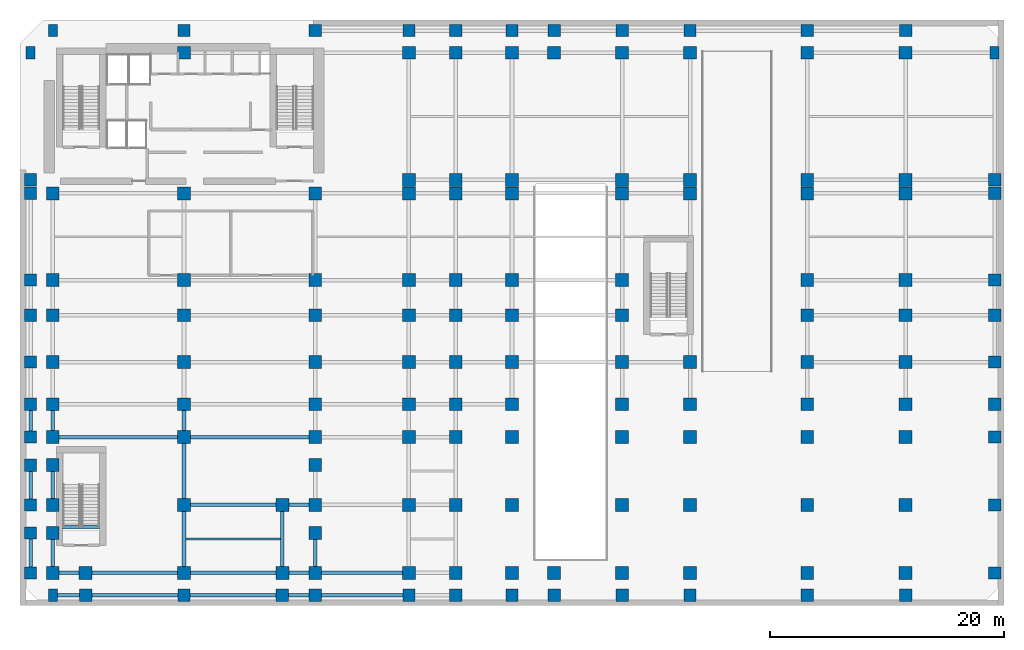
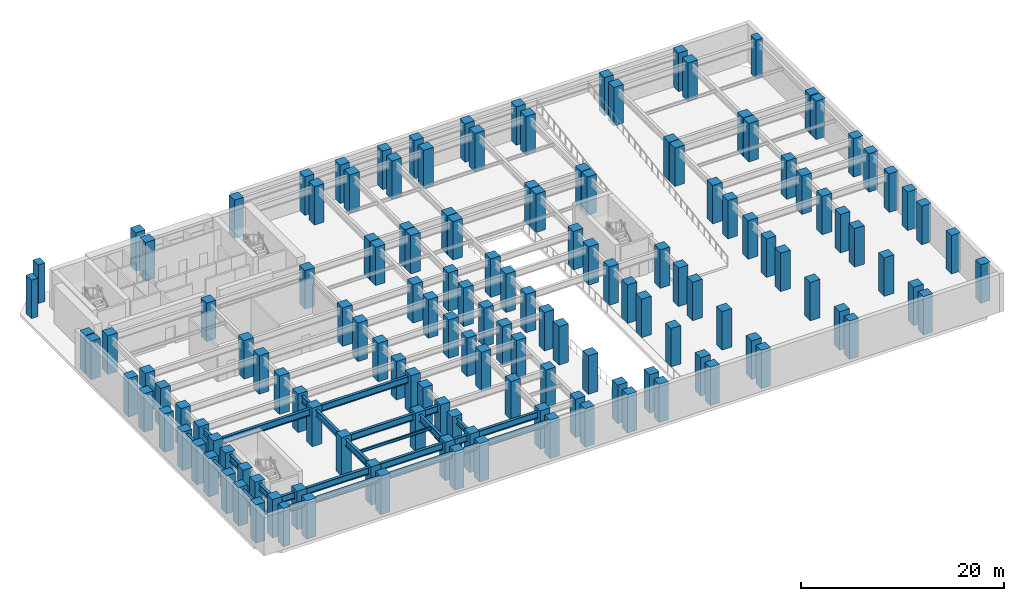
# One storey, part 1 of 12: 148 columns, 27 beams.
"""IFC4 building model written with IfcOpenShell, lengths in metres."""

from ifc_helpers import new_model, si_unit, direction, frame, origin, origin_2d, place, context, subcontext, project, spatial, rectangle, i_section, extrude, material, material_profile, profile_set, type_object, element, save


model = new_model("IFC4")

# Units and contexts
model_context = context("Model", 3, precision=1e-05, world=origin(), true_north=direction((0.0, 1.0)))
body_context = subcontext(model_context, "Body", "Model", "MODEL_VIEW")
ifc_project = project(units=[si_unit("LENGTHUNIT", "METRE"), si_unit("AREAUNIT", "SQUARE_METRE"), si_unit("VOLUMEUNIT", "CUBIC_METRE"), si_unit("PLANEANGLEUNIT", "RADIAN"), si_unit("MASSUNIT", "GRAM", prefix="KILO")], contexts=[model_context])

# Site, building, storey
site_placement = place(None, origin())
site = spatial("IfcSite", under=ifc_project, at=site_placement, CompositionType="ELEMENT")
building_placement = place(site_placement, origin())
building = spatial("IfcBuilding", under=site, at=building_placement, Name="Kefirva Bronze Tower", CompositionType="ELEMENT")
storey_placement = place(building_placement, frame((0.0, 0.0, -4.6201171875)))
storey = spatial("IfcBuildingStorey", under=building, at=storey_placement, Name="B1", CompositionType="ELEMENT", Elevation=-4.6201171875)

# Columns
ifc_material_1 = material(Name="Concrete C60/75", Category="concrete")
ifc_material_profile_1 = material_profile(ifc_material_1, rectangle(XDim=1.050048828125, YDim=1.050048828125, at=origin_2d()), Name="RC 1050x1050")
ifc_profile_set_1 = profile_set([ifc_material_profile_1], Name="Concrete C60/75")
column_type_1 = type_object("IfcColumnType", Name="RC Column 1050x1050 Ext", PredefinedType="COLUMN", material=ifc_profile_set_1)
for number, where, z_axis, x_axis, name in (
    (1, (-1.10009765625, 0.800048828125, 0.0), (0.0, 0.0, 1.0), (1.0, 0.0, 0.0), "B1 Column C-11_008"),
    (2, (-1.10009765625, 4.199951171875, 0.0), (0.0, 0.0, 1.0), (1.0, 0.0, 0.0), "B1 Column C-11_042"),
    (3, (-1.10009765625, 6.60009765625, 0.0), (0.0, 0.0, 1.0), (1.0, 0.0, 0.0), "B1 Column C-11_066"),
    (4, (-1.10009765625, 10.0, 0.0), (0.0, 0.0, 1.0), (1.0, 0.0, 0.0), "B1 Column C-11_100"),
    (5, (-1.10009765625, 12.39990234375, 0.0), (0.0, 0.0, 1.0), (1.0, 0.0, 0.0), "B1 Column C-11_124"),
    (6, (-1.10009765625, 15.199951171875, 0.0), (0.0, 0.0, 1.0), (1.0, 0.0, 0.0), "B1 Column C-11_152"),
    (7, (-1.10009765625, 18.800048828125, 0.0), (0.0, 0.0, 1.0), (1.0, 0.0, 0.0), "B1 Column C-11_188"),
    (8, (-1.10009765625, 22.800048828125, 0.0), (0.0, 0.0, 1.0), (1.0, 0.0, 0.0), "B1 Column C-11_228"),
    (9, (-1.10009765625, 25.800048828125, 0.0), (0.0, 0.0, 1.0), (1.0, 0.0, 0.0), "B1 Column C-11_258"),
    (10, (-1.10009765625, 33.199951171875, 0.0), (0.0, 0.0, 1.0), (1.0, 0.0, 0.0), "B1 Column C-11_332"),
    (11, (-1.10009765625, 34.35009765625, 0.0), (0.0, 0.0, 1.0), (1.0, 0.0, 0.0), "B1 Column C-11_344"),
    (12, (3.60009765625, -1.10009765625, 0.0), (0.0, 0.0, 1.0), (1.0, 0.0, 0.0), "B1 Column C036_-11"),
    (13, (12.0, -1.10009765625, 0.0), (0.0, 0.0, 1.0), (1.0, 0.0, 0.0), "B1 Column C120_-11"),
    (14, (12.0, 47.10009765625, 0.0), (0.0, 0.0, 1.0), (1.0, 0.0, 0.0), "B1 Column C120_471"),
    (15, (20.39990234375, -1.10009765625, 0.0), (0.0, 0.0, 1.0), (1.0, 0.0, 0.0), "B1 Column C204_-11"),
    (16, (23.199951171875, -1.10009765625, 0.0), (0.0, 0.0, 1.0), (1.0, 0.0, 0.0), "B1 Column C232_-11"),
    (17, (23.199951171875, 47.10009765625, 0.0), (0.0, 0.0, 1.0), (1.0, 0.0, 0.0), "B1 Column C232_471"),
    (18, (31.199951171875, -1.10009765625, 0.0), (0.0, 0.0, 1.0), (1.0, 0.0, 0.0), "B1 Column C312_-11"),
    (19, (31.199951171875, 47.10009765625, 0.0), (0.0, 0.0, 1.0), (1.0, 0.0, 0.0), "B1 Column C312_471"),
    (20, (35.199951171875, -1.10009765625, 0.0), (0.0, 0.0, 1.0), (1.0, 0.0, 0.0), "B1 Column C352_-11"),
    (21, (35.199951171875, 47.10009765625, 0.0), (0.0, 0.0, 1.0), (1.0, 0.0, 0.0), "B1 Column C352_471"),
    (22, (40.0, -1.10009765625, 0.0), (0.0, 0.0, 1.0), (1.0, 0.0, 0.0), "B1 Column C400_-11"),
    (23, (40.0, 47.10009765625, 0.0), (0.0, 0.0, 1.0), (1.0, 0.0, 0.0), "B1 Column C400_471"),
    (24, (43.60009765625, -1.10009765625, 0.0), (0.0, 0.0, 1.0), (1.0, 0.0, 0.0), "B1 Column C436_-11"),
    (25, (43.60009765625, 47.10009765625, 0.0), (0.0, 0.0, 1.0), (1.0, 0.0, 0.0), "B1 Column C436_471"),
    (26, (49.39990234375, -1.10009765625, 0.0), (0.0, 0.0, 1.0), (1.0, 0.0, 0.0), "B1 Column C494_-11"),
    (27, (49.39990234375, 47.10009765625, 0.0), (0.0, 0.0, 1.0), (1.0, 0.0, 0.0), "B1 Column C494_471"),
    (28, (55.199951171875, -1.10009765625, 0.0), (0.0, 0.0, 1.0), (1.0, 0.0, 0.0), "B1 Column C552_-11"),
    (29, (55.199951171875, 47.10009765625, 0.0), (0.0, 0.0, 1.0), (1.0, 0.0, 0.0), "B1 Column C552_471"),
    (30, (65.199951171875, -1.10009765625, 0.0), (0.0, 0.0, 1.0), (1.0, 0.0, 0.0), "B1 Column C652_-11"),
    (31, (65.199951171875, 47.10009765625, 0.0), (0.0, 0.0, 1.0), (1.0, 0.0, 0.0), "B1 Column C652_471"),
    (32, (73.60009765625, -1.10009765625, 0.0), (0.0, 0.0, 1.0), (1.0, 0.0, 0.0), "B1 Column C736_-11"),
    (33, (73.60009765625, 47.10009765625, 0.0), (0.0, 0.0, 1.0), (1.0, 0.0, 0.0), "B1 Column C736_471"),
    (34, (81.199951171875, 0.800048828125, 0.0), (0.0, 0.0, 1.0), (1.0, 0.0, 0.0), "B1 Column C812_008"),
    (35, (81.199951171875, 6.60009765625, 0.0), (0.0, 0.0, 1.0), (1.0, 0.0, 0.0), "B1 Column C812_066"),
    (36, (81.199951171875, 12.39990234375, 0.0), (0.0, 0.0, 1.0), (1.0, 0.0, 0.0), "B1 Column C812_124"),
    (37, (81.199951171875, 15.199951171875, 0.0), (0.0, 0.0, 1.0), (1.0, 0.0, 0.0), "B1 Column C812_152"),
    (38, (81.199951171875, 18.800048828125, 0.0), (0.0, 0.0, 1.0), (1.0, 0.0, 0.0), "B1 Column C812_188"),
    (39, (81.199951171875, 22.800048828125, 0.0), (0.0, 0.0, 1.0), (1.0, 0.0, 0.0), "B1 Column C812_228"),
    (40, (81.199951171875, 25.800048828125, 0.0), (0.0, 0.0, 1.0), (1.0, 0.0, 0.0), "B1 Column C812_258"),
    (41, (81.199951171875, 33.199951171875, 0.0), (0.0, 0.0, 1.0), (1.0, 0.0, 0.0), "B1 Column C812_332"),
    (42, (81.199951171875, 34.35009765625, 0.0), (0.0, 0.0, 1.0), (1.0, 0.0, 0.0), "B1 Column C812_344"),
):
    element("IfcColumn", number, at=place(storey_placement, frame(where, z_axis=z_axis, x_axis=x_axis)), inside=storey, type_object=column_type_1, Name=name, PredefinedType="COLUMN", context=body_context, shape_type="SweptSolid", body=[
        extrude(rectangle(XDim=1.050048828125, YDim=1.050048828125, at=origin_2d()), origin(), (0.0, 0.0, 1.0), 4.6201171875),
    ])
ifc_material_profile_2 = material_profile(ifc_material_1, rectangle(XDim=1.10009765625, YDim=1.10009765625, at=origin_2d()), Name="RC 1100x1100")
ifc_profile_set_2 = profile_set([ifc_material_profile_2], Name="Concrete C60/75")
column_type_2 = type_object("IfcColumnType", Name="RC Column 1100x1100 Int", PredefinedType="COLUMN", material=ifc_profile_set_2)
for number, where, z_axis, x_axis, name in (
    (43, (0.800048828125, 0.800048828125, 0.0), (0.0, 0.0, 1.0), (1.0, 0.0, 0.0), "B1 Column C008_008"),
    (44, (0.800048828125, 4.199951171875, 0.0), (0.0, 0.0, 1.0), (1.0, 0.0, 0.0), "B1 Column C008_042"),
    (45, (0.800048828125, 6.60009765625, 0.0), (0.0, 0.0, 1.0), (1.0, 0.0, 0.0), "B1 Column C008_066"),
    (46, (0.800048828125, 10.0, 0.0), (0.0, 0.0, 1.0), (1.0, 0.0, 0.0), "B1 Column C008_100"),
    (47, (0.800048828125, 12.39990234375, 0.0), (0.0, 0.0, 1.0), (1.0, 0.0, 0.0), "B1 Column C008_124"),
    (48, (0.800048828125, 15.199951171875, 0.0), (0.0, 0.0, 1.0), (1.0, 0.0, 0.0), "B1 Column C008_152"),
    (49, (0.800048828125, 18.800048828125, 0.0), (0.0, 0.0, 1.0), (1.0, 0.0, 0.0), "B1 Column C008_188"),
    (50, (0.800048828125, 22.800048828125, 0.0), (0.0, 0.0, 1.0), (1.0, 0.0, 0.0), "B1 Column C008_228"),
    (51, (0.800048828125, 25.800048828125, 0.0), (0.0, 0.0, 1.0), (1.0, 0.0, 0.0), "B1 Column C008_258"),
    (52, (0.800048828125, 33.199951171875, 0.0), (0.0, 0.0, 1.0), (1.0, 0.0, 0.0), "B1 Column C008_332"),
    (53, (3.60009765625, 0.800048828125, 0.0), (0.0, 0.0, 1.0), (1.0, 0.0, 0.0), "B1 Column C036_008"),
    (54, (12.0, 0.800048828125, 0.0), (0.0, 0.0, 1.0), (1.0, 0.0, 0.0), "B1 Column C120_008"),
    (55, (12.0, 6.60009765625, 0.0), (0.0, 0.0, 1.0), (1.0, 0.0, 0.0), "B1 Column C120_066"),
    (56, (12.0, 12.39990234375, 0.0), (0.0, 0.0, 1.0), (1.0, 0.0, 0.0), "B1 Column C120_124"),
    (57, (12.0, 15.199951171875, 0.0), (0.0, 0.0, 1.0), (1.0, 0.0, 0.0), "B1 Column C120_152"),
    (58, (12.0, 18.800048828125, 0.0), (0.0, 0.0, 1.0), (1.0, 0.0, 0.0), "B1 Column C120_188"),
    (59, (12.0, 22.800048828125, 0.0), (0.0, 0.0, 1.0), (1.0, 0.0, 0.0), "B1 Column C120_228"),
    (60, (12.0, 25.800048828125, 0.0), (0.0, 0.0, 1.0), (1.0, 0.0, 0.0), "B1 Column C120_258"),
    (61, (12.0, 33.199951171875, 0.0), (0.0, 0.0, 1.0), (1.0, 0.0, 0.0), "B1 Column C120_332"),
    (62, (12.0, 45.199951171875, 0.0), (0.0, 0.0, 1.0), (1.0, 0.0, 0.0), "B1 Column C120_452"),
    (63, (20.39990234375, 0.800048828125, 0.0), (0.0, 0.0, 1.0), (1.0, 0.0, 0.0), "B1 Column C204_008"),
    (64, (20.39990234375, 6.60009765625, 0.0), (0.0, 0.0, 1.0), (1.0, 0.0, 0.0), "B1 Column C204_066"),
    (65, (23.199951171875, 0.800048828125, 0.0), (0.0, 0.0, 1.0), (1.0, 0.0, 0.0), "B1 Column C232_008"),
    (66, (23.199951171875, 4.199951171875, 0.0), (0.0, 0.0, 1.0), (1.0, 0.0, 0.0), "B1 Column C232_042"),
    (67, (23.199951171875, 6.60009765625, 0.0), (0.0, 0.0, 1.0), (1.0, 0.0, 0.0), "B1 Column C232_066"),
    (68, (23.199951171875, 10.0, 0.0), (0.0, 0.0, 1.0), (1.0, 0.0, 0.0), "B1 Column C232_100"),
    (69, (23.199951171875, 12.39990234375, 0.0), (0.0, 0.0, 1.0), (1.0, 0.0, 0.0), "B1 Column C232_124"),
    (70, (23.199951171875, 15.199951171875, 0.0), (0.0, 0.0, 1.0), (1.0, 0.0, 0.0), "B1 Column C232_152"),
    (71, (23.199951171875, 18.800048828125, 0.0), (0.0, 0.0, 1.0), (1.0, 0.0, 0.0), "B1 Column C232_188"),
    (72, (23.199951171875, 22.800048828125, 0.0), (0.0, 0.0, 1.0), (1.0, 0.0, 0.0), "B1 Column C232_228"),
    (73, (23.199951171875, 25.800048828125, 0.0), (0.0, 0.0, 1.0), (1.0, 0.0, 0.0), "B1 Column C232_258"),
    (74, (23.199951171875, 33.199951171875, 0.0), (0.0, 0.0, 1.0), (1.0, 0.0, 0.0), "B1 Column C232_332"),
    (75, (31.199951171875, 0.800048828125, 0.0), (0.0, 0.0, 1.0), (1.0, 0.0, 0.0), "B1 Column C312_008"),
    (76, (31.199951171875, 6.60009765625, 0.0), (0.0, 0.0, 1.0), (1.0, 0.0, 0.0), "B1 Column C312_066"),
    (77, (31.199951171875, 12.39990234375, 0.0), (0.0, 0.0, 1.0), (1.0, 0.0, 0.0), "B1 Column C312_124"),
    (78, (31.199951171875, 15.199951171875, 0.0), (0.0, 0.0, 1.0), (1.0, 0.0, 0.0), "B1 Column C312_152"),
    (79, (31.199951171875, 18.800048828125, 0.0), (0.0, 0.0, 1.0), (1.0, 0.0, 0.0), "B1 Column C312_188"),
    (80, (31.199951171875, 22.800048828125, 0.0), (0.0, 0.0, 1.0), (1.0, 0.0, 0.0), "B1 Column C312_228"),
    (81, (31.199951171875, 25.800048828125, 0.0), (0.0, 0.0, 1.0), (1.0, 0.0, 0.0), "B1 Column C312_258"),
    (82, (31.199951171875, 33.199951171875, 0.0), (0.0, 0.0, 1.0), (1.0, 0.0, 0.0), "B1 Column C312_332"),
    (83, (31.199951171875, 34.35009765625, 0.0), (0.0, 0.0, 1.0), (1.0, 0.0, 0.0), "B1 Column C312_344"),
    (84, (31.199951171875, 45.199951171875, 0.0), (0.0, 0.0, 1.0), (1.0, 0.0, 0.0), "B1 Column C312_452"),
    (85, (35.199951171875, 0.800048828125, 0.0), (0.0, 0.0, 1.0), (1.0, 0.0, 0.0), "B1 Column C352_008"),
    (86, (35.199951171875, 6.60009765625, 0.0), (0.0, 0.0, 1.0), (1.0, 0.0, 0.0), "B1 Column C352_066"),
    (87, (35.199951171875, 12.39990234375, 0.0), (0.0, 0.0, 1.0), (1.0, 0.0, 0.0), "B1 Column C352_124"),
    (88, (35.199951171875, 15.199951171875, 0.0), (0.0, 0.0, 1.0), (1.0, 0.0, 0.0), "B1 Column C352_152"),
    (89, (35.199951171875, 18.800048828125, 0.0), (0.0, 0.0, 1.0), (1.0, 0.0, 0.0), "B1 Column C352_188"),
    (90, (35.199951171875, 22.800048828125, 0.0), (0.0, 0.0, 1.0), (1.0, 0.0, 0.0), "B1 Column C352_228"),
    (91, (35.199951171875, 25.800048828125, 0.0), (0.0, 0.0, 1.0), (1.0, 0.0, 0.0), "B1 Column C352_258"),
    (92, (35.199951171875, 33.199951171875, 0.0), (0.0, 0.0, 1.0), (1.0, 0.0, 0.0), "B1 Column C352_332"),
    (93, (35.199951171875, 34.35009765625, 0.0), (0.0, 0.0, 1.0), (1.0, 0.0, 0.0), "B1 Column C352_344"),
    (94, (35.199951171875, 45.199951171875, 0.0), (0.0, 0.0, 1.0), (1.0, 0.0, 0.0), "B1 Column C352_452"),
    (95, (40.0, 0.800048828125, 0.0), (0.0, 0.0, 1.0), (1.0, 0.0, 0.0), "B1 Column C400_008"),
    (96, (40.0, 6.60009765625, 0.0), (0.0, 0.0, 1.0), (1.0, 0.0, 0.0), "B1 Column C400_066"),
    (97, (40.0, 12.39990234375, 0.0), (0.0, 0.0, 1.0), (1.0, 0.0, 0.0), "B1 Column C400_124"),
    (98, (40.0, 15.199951171875, 0.0), (0.0, 0.0, 1.0), (1.0, 0.0, 0.0), "B1 Column C400_152"),
    (99, (40.0, 18.800048828125, 0.0), (0.0, 0.0, 1.0), (1.0, 0.0, 0.0), "B1 Column C400_188"),
    (100, (40.0, 22.800048828125, 0.0), (0.0, 0.0, 1.0), (1.0, 0.0, 0.0), "B1 Column C400_228"),
    (101, (40.0, 25.800048828125, 0.0), (0.0, 0.0, 1.0), (1.0, 0.0, 0.0), "B1 Column C400_258"),
    (102, (40.0, 33.199951171875, 0.0), (0.0, 0.0, 1.0), (1.0, 0.0, 0.0), "B1 Column C400_332"),
    (103, (40.0, 34.35009765625, 0.0), (0.0, 0.0, 1.0), (1.0, 0.0, 0.0), "B1 Column C400_344"),
    (104, (40.0, 45.199951171875, 0.0), (0.0, 0.0, 1.0), (1.0, 0.0, 0.0), "B1 Column C400_452"),
    (105, (43.60009765625, 0.800048828125, 0.0), (0.0, 0.0, 1.0), (1.0, 0.0, 0.0), "B1 Column C436_008"),
    (106, (43.60009765625, 45.199951171875, 0.0), (0.0, 0.0, 1.0), (1.0, 0.0, 0.0), "B1 Column C436_452"),
    (107, (49.39990234375, 0.800048828125, 0.0), (0.0, 0.0, 1.0), (1.0, 0.0, 0.0), "B1 Column C494_008"),
    (108, (49.39990234375, 6.60009765625, 0.0), (0.0, 0.0, 1.0), (1.0, 0.0, 0.0), "B1 Column C494_066"),
    (109, (49.39990234375, 12.39990234375, 0.0), (0.0, 0.0, 1.0), (1.0, 0.0, 0.0), "B1 Column C494_124"),
    (110, (49.39990234375, 15.199951171875, 0.0), (0.0, 0.0, 1.0), (1.0, 0.0, 0.0), "B1 Column C494_152"),
    (111, (49.39990234375, 18.800048828125, 0.0), (0.0, 0.0, 1.0), (1.0, 0.0, 0.0), "B1 Column C494_188"),
    (112, (49.39990234375, 22.800048828125, 0.0), (0.0, 0.0, 1.0), (1.0, 0.0, 0.0), "B1 Column C494_228"),
    (113, (49.39990234375, 25.800048828125, 0.0), (0.0, 0.0, 1.0), (1.0, 0.0, 0.0), "B1 Column C494_258"),
    (114, (49.39990234375, 33.199951171875, 0.0), (0.0, 0.0, 1.0), (1.0, 0.0, 0.0), "B1 Column C494_332"),
    (115, (49.39990234375, 34.35009765625, 0.0), (0.0, 0.0, 1.0), (1.0, 0.0, 0.0), "B1 Column C494_344"),
    (116, (49.39990234375, 45.199951171875, 0.0), (0.0, 0.0, 1.0), (1.0, 0.0, 0.0), "B1 Column C494_452"),
    (117, (55.199951171875, 0.800048828125, 0.0), (0.0, 0.0, 1.0), (1.0, 0.0, 0.0), "B1 Column C552_008"),
    (118, (55.199951171875, 6.60009765625, 0.0), (0.0, 0.0, 1.0), (1.0, 0.0, 0.0), "B1 Column C552_066"),
    (119, (55.199951171875, 12.39990234375, 0.0), (0.0, 0.0, 1.0), (1.0, 0.0, 0.0), "B1 Column C552_124"),
    (120, (55.199951171875, 15.199951171875, 0.0), (0.0, 0.0, 1.0), (1.0, 0.0, 0.0), "B1 Column C552_152"),
    (121, (55.199951171875, 18.800048828125, 0.0), (0.0, 0.0, 1.0), (1.0, 0.0, 0.0), "B1 Column C552_188"),
    (122, (55.199951171875, 33.199951171875, 0.0), (0.0, 0.0, 1.0), (1.0, 0.0, 0.0), "B1 Column C552_332"),
    (123, (55.199951171875, 34.35009765625, 0.0), (0.0, 0.0, 1.0), (1.0, 0.0, 0.0), "B1 Column C552_344"),
    (124, (55.199951171875, 45.199951171875, 0.0), (0.0, 0.0, 1.0), (1.0, 0.0, 0.0), "B1 Column C552_452"),
    (125, (65.199951171875, 0.800048828125, 0.0), (0.0, 0.0, 1.0), (1.0, 0.0, 0.0), "B1 Column C652_008"),
    (126, (65.199951171875, 6.60009765625, 0.0), (0.0, 0.0, 1.0), (1.0, 0.0, 0.0), "B1 Column C652_066"),
    (127, (65.199951171875, 12.39990234375, 0.0), (0.0, 0.0, 1.0), (1.0, 0.0, 0.0), "B1 Column C652_124"),
    (128, (65.199951171875, 15.199951171875, 0.0), (0.0, 0.0, 1.0), (1.0, 0.0, 0.0), "B1 Column C652_152"),
    (129, (65.199951171875, 18.800048828125, 0.0), (0.0, 0.0, 1.0), (1.0, 0.0, 0.0), "B1 Column C652_188"),
    (130, (65.199951171875, 22.800048828125, 0.0), (0.0, 0.0, 1.0), (1.0, 0.0, 0.0), "B1 Column C652_228"),
    (131, (65.199951171875, 25.800048828125, 0.0), (0.0, 0.0, 1.0), (1.0, 0.0, 0.0), "B1 Column C652_258"),
    (132, (65.199951171875, 33.199951171875, 0.0), (0.0, 0.0, 1.0), (1.0, 0.0, 0.0), "B1 Column C652_332"),
    (133, (65.199951171875, 34.35009765625, 0.0), (0.0, 0.0, 1.0), (1.0, 0.0, 0.0), "B1 Column C652_344"),
    (134, (65.199951171875, 45.199951171875, 0.0), (0.0, 0.0, 1.0), (1.0, 0.0, 0.0), "B1 Column C652_452"),
    (135, (73.60009765625, 0.800048828125, 0.0), (0.0, 0.0, 1.0), (1.0, 0.0, 0.0), "B1 Column C736_008"),
    (136, (73.60009765625, 6.60009765625, 0.0), (0.0, 0.0, 1.0), (1.0, 0.0, 0.0), "B1 Column C736_066"),
    (137, (73.60009765625, 12.39990234375, 0.0), (0.0, 0.0, 1.0), (1.0, 0.0, 0.0), "B1 Column C736_124"),
    (138, (73.60009765625, 15.199951171875, 0.0), (0.0, 0.0, 1.0), (1.0, 0.0, 0.0), "B1 Column C736_152"),
    (139, (73.60009765625, 18.800048828125, 0.0), (0.0, 0.0, 1.0), (1.0, 0.0, 0.0), "B1 Column C736_188"),
    (140, (73.60009765625, 22.800048828125, 0.0), (0.0, 0.0, 1.0), (1.0, 0.0, 0.0), "B1 Column C736_228"),
    (141, (73.60009765625, 25.800048828125, 0.0), (0.0, 0.0, 1.0), (1.0, 0.0, 0.0), "B1 Column C736_258"),
    (142, (73.60009765625, 33.199951171875, 0.0), (0.0, 0.0, 1.0), (1.0, 0.0, 0.0), "B1 Column C736_332"),
    (143, (73.60009765625, 34.35009765625, 0.0), (0.0, 0.0, 1.0), (1.0, 0.0, 0.0), "B1 Column C736_344"),
    (144, (73.60009765625, 45.199951171875, 0.0), (0.0, 0.0, 1.0), (1.0, 0.0, 0.0), "B1 Column C736_452"),
):
    element("IfcColumn", number, at=place(storey_placement, frame(where, z_axis=z_axis, x_axis=x_axis)), inside=storey, type_object=column_type_2, Name=name, PredefinedType="COLUMN", context=body_context, shape_type="SweptSolid", body=[
        extrude(rectangle(XDim=1.10009765625, YDim=1.10009765625, at=origin_2d()), origin(), (0.0, 0.0, 1.0), 4.6201171875),
    ])
ifc_material_profile_3 = material_profile(ifc_material_1, rectangle(XDim=0.760009765625, YDim=1.0400390625, at=origin_2d()), Name="RC 760x1040")
ifc_profile_set_3 = profile_set([ifc_material_profile_3], Name="Concrete C60/75")
column_type_3 = type_object("IfcColumnType", Name="RC Corner Buttress Pilaster 1040x760", PredefinedType="PILASTER", material=ifc_profile_set_3)
for number, where, z_axis, x_axis, name in (
    (145, (-1.10009765625, 45.199951171875, 0.0), (0.0, 0.0, 1.0), (1.0, 0.0, 0.0), "B1 Column C-11_452"),
    (146, (0.800048828125, -1.10009765625, 0.0), (0.0, 0.0, 1.0), (1.0, 0.0, 0.0), "B1 Column C008_-11"),
    (147, (0.800048828125, 47.10009765625, 0.0), (0.0, 0.0, 1.0), (1.0, 0.0, 0.0), "B1 Column C008_471"),
    (148, (81.199951171875, 45.199951171875, 0.0), (0.0, 0.0, 1.0), (1.0, 0.0, 0.0), "B1 Column C812_452"),
):
    element("IfcColumn", number, at=place(storey_placement, frame(where, z_axis=z_axis, x_axis=x_axis)), inside=storey, type_object=column_type_3, Name=name, PredefinedType="PILASTER", context=body_context, shape_type="SweptSolid", body=[
        extrude(rectangle(XDim=0.760009765625, YDim=1.0400390625, at=origin_2d()), origin(), (0.0, 0.0, 1.0), 4.6201171875),
    ])

# Beams
ifc_material_2 = material(Name="Concrete C50/60", Category="concrete")
ifc_material_profile_4 = material_profile(ifc_material_2, rectangle(XDim=0.300048828125, YDim=0.449951171875, at=origin_2d()), Name="RC 300x450")
ifc_profile_set_4 = profile_set([ifc_material_profile_4], Name="Concrete C50/60")
beam_type_1 = type_object("IfcBeamType", Name="RC Stair Trimmer Beam 300x450", PredefinedType="BEAM", material=ifc_profile_set_4)
beam_1_placement = place(storey_placement, frame((1.64501953125, 4.699951171875, -0.224853515625), z_axis=(1.0, 0.0, 0.0), x_axis=(0.0, 1.0, 0.0)))
element("IfcBeam", 149, at=beam_1_placement, inside=storey, type_object=beam_type_1, Name="B1 Stair 3 Landing Trimmer Beam", PredefinedType="BEAM", context=body_context, shape_type="SweptSolid", body=[
    extrude(rectangle(XDim=0.300048828125, YDim=0.449951171875, at=origin_2d()), origin(), (0.0, 0.0, 1.0), 3.14990234375),
])
ifc_material_3 = material(Name="Steel S355", Category="steel")
ifc_material_profile_5 = material_profile(ifc_material_3, i_section(OverallWidth=0.159912109375, OverallDepth=0.330078125, WebThickness=0.007568359375, FlangeThickness=0.011474609375, at=origin_2d()), Name="IPE 330")
ifc_profile_set_5 = profile_set([ifc_material_profile_5], Name="Steel S355")
beam_type_2 = type_object("IfcBeamType", Name="Steel Floor Joist IPE 330", PredefinedType="JOIST", material=ifc_profile_set_5)
beam_2_placement = place(storey_placement, frame((12.14990234375, 3.699951171875, 4.135009765625), z_axis=(1.0, 0.0, 0.0), x_axis=(0.0, 1.0, 0.0)))
element("IfcBeam", 150, at=beam_2_placement, inside=storey, type_object=beam_type_2, Name="B1 JST-B1-12-37", PredefinedType="JOIST", context=body_context, shape_type="SweptSolid", body=[
    extrude(i_section(OverallWidth=0.159912109375, OverallDepth=0.330078125, WebThickness=0.007568359375, FlangeThickness=0.011474609375, at=origin_2d()), origin(), (0.0, 0.0, 1.0), 8.10009765625),
])
ifc_material_profile_6 = material_profile(ifc_material_3, i_section(OverallWidth=0.300048828125, OverallDepth=0.800048828125, WebThickness=0.017578125, FlangeThickness=0.032958984375, at=origin_2d()), Name="HEB 800")
ifc_profile_set_6 = profile_set([ifc_material_profile_6], Name="Steel S355")
beam_type_3 = type_object("IfcBeamType", Name="Steel Girder HEB 800", PredefinedType="USERDEFINED", material=ifc_profile_set_6)
beam_3_placement = place(storey_placement, frame((1.35009765625, 0.800048828125, 3.900146484375), z_axis=(1.0, 0.0, 0.0), x_axis=(0.0, 1.0, 0.0)))
element("IfcBeam", 151, at=beam_3_placement, inside=storey, type_object=beam_type_3, Name="B1 BM-B1-EW-0-8", ObjectType="GIRDER", PredefinedType="USERDEFINED", context=body_context, shape_type="SweptSolid", body=[
    extrude(i_section(OverallWidth=0.300048828125, OverallDepth=0.800048828125, WebThickness=0.017578125, FlangeThickness=0.032958984375, at=origin_2d()), origin(), (0.0, 0.0, 1.0), 1.699951171875),
])
for number, where, z_axis, x_axis, name in (
    (152, (4.14990234375, 0.800048828125, 3.900146484375), (1.0, 0.0, 0.0), (0.0, 1.0, 0.0), "B1 BM-B1-EW-3-8"),
    (153, (12.550048828125, 0.800048828125, 3.900146484375), (1.0, 0.0, 0.0), (0.0, 1.0, 0.0), "B1 BM-B1-EW-12-8"),
):
    element("IfcBeam", number, at=place(storey_placement, frame(where, z_axis=z_axis, x_axis=x_axis)), inside=storey, type_object=beam_type_3, Name=name, ObjectType="GIRDER", PredefinedType="USERDEFINED", context=body_context, shape_type="SweptSolid", body=[
        extrude(i_section(OverallWidth=0.300048828125, OverallDepth=0.800048828125, WebThickness=0.017578125, FlangeThickness=0.032958984375, at=origin_2d()), origin(), (0.0, 0.0, 1.0), 7.300048828125),
    ])
beam_4_placement = place(storey_placement, frame((20.949951171875, 0.800048828125, 3.900146484375), z_axis=(1.0, 0.0, 0.0), x_axis=(0.0, 1.0, 0.0)))
element("IfcBeam", 154, at=beam_4_placement, inside=storey, type_object=beam_type_3, Name="B1 BM-B1-EW-20-8", ObjectType="GIRDER", PredefinedType="USERDEFINED", context=body_context, shape_type="SweptSolid", body=[
    extrude(i_section(OverallWidth=0.300048828125, OverallDepth=0.800048828125, WebThickness=0.017578125, FlangeThickness=0.032958984375, at=origin_2d()), origin(), (0.0, 0.0, 1.0), 1.699951171875),
])
beam_5_placement = place(storey_placement, frame((23.75, 0.800048828125, 3.900146484375), z_axis=(1.0, 0.0, 0.0), x_axis=(0.0, 1.0, 0.0)))
element("IfcBeam", 155, at=beam_5_placement, inside=storey, type_object=beam_type_3, Name="B1 BM-B1-EW-23-8", ObjectType="GIRDER", PredefinedType="USERDEFINED", context=body_context, shape_type="SweptSolid", body=[
    extrude(i_section(OverallWidth=0.300048828125, OverallDepth=0.800048828125, WebThickness=0.017578125, FlangeThickness=0.032958984375, at=origin_2d()), origin(), (0.0, 0.0, 1.0), 6.89990234375),
])
beam_6_placement = place(storey_placement, frame((12.550048828125, 6.60009765625, 3.900146484375), z_axis=(1.0, 0.0, 0.0), x_axis=(0.0, 1.0, 0.0)))
element("IfcBeam", 156, at=beam_6_placement, inside=storey, type_object=beam_type_3, Name="B1 BM-B1-EW-12-66", ObjectType="GIRDER", PredefinedType="USERDEFINED", context=body_context, shape_type="SweptSolid", body=[
    extrude(i_section(OverallWidth=0.300048828125, OverallDepth=0.800048828125, WebThickness=0.017578125, FlangeThickness=0.032958984375, at=origin_2d()), origin(), (0.0, 0.0, 1.0), 7.300048828125),
])
beam_7_placement = place(storey_placement, frame((20.949951171875, 6.60009765625, 3.900146484375), z_axis=(1.0, 0.0, 0.0), x_axis=(0.0, 1.0, 0.0)))
element("IfcBeam", 157, at=beam_7_placement, inside=storey, type_object=beam_type_3, Name="B1 BM-B1-EW-20-66", ObjectType="GIRDER", PredefinedType="USERDEFINED", context=body_context, shape_type="SweptSolid", body=[
    extrude(i_section(OverallWidth=0.300048828125, OverallDepth=0.800048828125, WebThickness=0.017578125, FlangeThickness=0.032958984375, at=origin_2d()), origin(), (0.0, 0.0, 1.0), 1.699951171875),
])
for number, where, z_axis, x_axis, name in (
    (158, (1.35009765625, 12.39990234375, 3.900146484375), (1.0, 0.0, 0.0), (0.0, 1.0, 0.0), "B1 BM-B1-EW-0-124"),
    (159, (12.550048828125, 12.39990234375, 3.900146484375), (1.0, 0.0, 0.0), (0.0, 1.0, 0.0), "B1 BM-B1-EW-12-124"),
):
    element("IfcBeam", number, at=place(storey_placement, frame(where, z_axis=z_axis, x_axis=x_axis)), inside=storey, type_object=beam_type_3, Name=name, ObjectType="GIRDER", PredefinedType="USERDEFINED", context=body_context, shape_type="SweptSolid", body=[
        extrude(i_section(OverallWidth=0.300048828125, OverallDepth=0.800048828125, WebThickness=0.017578125, FlangeThickness=0.032958984375, at=origin_2d()), origin(), (0.0, 0.0, 1.0), 10.099853515625),
    ])
beam_8_placement = place(storey_placement, frame((0.800048828125, 1.35009765625, 3.900146484375), z_axis=(0.0, 1.0, 0.0), x_axis=(-1.0, 0.0, 0.0)))
element("IfcBeam", 160, at=beam_8_placement, inside=storey, type_object=beam_type_3, Name="B1 BM-B1-NS-8-0", ObjectType="GIRDER", PredefinedType="USERDEFINED", context=body_context, shape_type="SweptSolid", body=[
    extrude(i_section(OverallWidth=0.300048828125, OverallDepth=0.800048828125, WebThickness=0.017578125, FlangeThickness=0.032958984375, at=origin_2d()), origin(), (0.0, 0.0, 1.0), 2.2998046875),
])
beam_9_placement = place(storey_placement, frame((0.800048828125, 7.14990234375, 3.900146484375), z_axis=(0.0, 1.0, 0.0), x_axis=(-1.0, 0.0, 0.0)))
element("IfcBeam", 161, at=beam_9_placement, inside=storey, type_object=beam_type_3, Name="B1 BM-B1-NS-8-6", ObjectType="GIRDER", PredefinedType="USERDEFINED", context=body_context, shape_type="SweptSolid", body=[
    extrude(i_section(OverallWidth=0.300048828125, OverallDepth=0.800048828125, WebThickness=0.017578125, FlangeThickness=0.032958984375, at=origin_2d()), origin(), (0.0, 0.0, 1.0), 2.300048828125),
])
beam_10_placement = place(storey_placement, frame((0.800048828125, 12.949951171875, 3.900146484375), z_axis=(0.0, 1.0, 0.0), x_axis=(-1.0, 0.0, 0.0)))
element("IfcBeam", 162, at=beam_10_placement, inside=storey, type_object=beam_type_3, Name="B1 BM-B1-NS-8-12", ObjectType="GIRDER", PredefinedType="USERDEFINED", context=body_context, shape_type="SweptSolid", body=[
    extrude(i_section(OverallWidth=0.300048828125, OverallDepth=0.800048828125, WebThickness=0.017578125, FlangeThickness=0.032958984375, at=origin_2d()), origin(), (0.0, 0.0, 1.0), 1.699951171875),
])
beam_11_placement = place(storey_placement, frame((12.0, 1.35009765625, 3.900146484375), z_axis=(0.0, 1.0, 0.0), x_axis=(-1.0, 0.0, 0.0)))
element("IfcBeam", 163, at=beam_11_placement, inside=storey, type_object=beam_type_3, Name="B1 BM-B1-NS-120-0", ObjectType="GIRDER", PredefinedType="USERDEFINED", context=body_context, shape_type="SweptSolid", body=[
    extrude(i_section(OverallWidth=0.300048828125, OverallDepth=0.800048828125, WebThickness=0.017578125, FlangeThickness=0.032958984375, at=origin_2d()), origin(), (0.0, 0.0, 1.0), 4.699951171875),
])
beam_12_placement = place(storey_placement, frame((12.0, 7.14990234375, 3.900146484375), z_axis=(0.0, 1.0, 0.0), x_axis=(-1.0, 0.0, 0.0)))
element("IfcBeam", 164, at=beam_12_placement, inside=storey, type_object=beam_type_3, Name="B1 BM-B1-NS-120-6", ObjectType="GIRDER", PredefinedType="USERDEFINED", context=body_context, shape_type="SweptSolid", body=[
    extrude(i_section(OverallWidth=0.300048828125, OverallDepth=0.800048828125, WebThickness=0.017578125, FlangeThickness=0.032958984375, at=origin_2d()), origin(), (0.0, 0.0, 1.0), 4.7001953125),
])
beam_13_placement = place(storey_placement, frame((12.0, 12.949951171875, 3.900146484375), z_axis=(0.0, 1.0, 0.0), x_axis=(-1.0, 0.0, 0.0)))
element("IfcBeam", 165, at=beam_13_placement, inside=storey, type_object=beam_type_3, Name="B1 BM-B1-NS-120-12", ObjectType="GIRDER", PredefinedType="USERDEFINED", context=body_context, shape_type="SweptSolid", body=[
    extrude(i_section(OverallWidth=0.300048828125, OverallDepth=0.800048828125, WebThickness=0.017578125, FlangeThickness=0.032958984375, at=origin_2d()), origin(), (0.0, 0.0, 1.0), 1.699951171875),
])
beam_14_placement = place(storey_placement, frame((20.39990234375, 1.35009765625, 3.900146484375), z_axis=(0.0, 1.0, 0.0), x_axis=(-1.0, 0.0, 0.0)))
element("IfcBeam", 166, at=beam_14_placement, inside=storey, type_object=beam_type_3, Name="B1 BM-B1-NS-204-0", ObjectType="GIRDER", PredefinedType="USERDEFINED", context=body_context, shape_type="SweptSolid", body=[
    extrude(i_section(OverallWidth=0.300048828125, OverallDepth=0.800048828125, WebThickness=0.017578125, FlangeThickness=0.032958984375, at=origin_2d()), origin(), (0.0, 0.0, 1.0), 4.699951171875),
])
ifc_material_profile_7 = material_profile(ifc_material_3, i_section(OverallWidth=0.300048828125, OverallDepth=0.64990234375, WebThickness=0.01611328125, FlangeThickness=0.031005859375, at=origin_2d()), Name="HEB 650")
ifc_profile_set_7 = profile_set([ifc_material_profile_7], Name="Steel S355")
beam_type_4 = type_object("IfcBeamType", Name="Steel Spandrel HEB 650 Ext", PredefinedType="SPANDREL", material=ifc_profile_set_7)
beam_15_placement = place(storey_placement, frame((1.179931640625, -1.10009765625, 3.97509765625), z_axis=(1.0, 0.0, 0.0), x_axis=(0.0, 1.0, 0.0)))
element("IfcBeam", 167, at=beam_15_placement, inside=storey, type_object=beam_type_4, Name="B1 BM-B1-EW-0--11", PredefinedType="SPANDREL", context=body_context, shape_type="SweptSolid", body=[
    extrude(i_section(OverallWidth=0.300048828125, OverallDepth=0.64990234375, WebThickness=0.01611328125, FlangeThickness=0.031005859375, at=origin_2d()), origin(), (0.0, 0.0, 1.0), 1.89501953125),
])
for number, where, z_axis, x_axis, name in (
    (168, (4.125, -1.10009765625, 3.97509765625), (1.0, 0.0, 0.0), (0.0, 1.0, 0.0), "B1 BM-B1-EW-3--11"),
    (169, (12.52490234375, -1.10009765625, 3.97509765625), (1.0, 0.0, 0.0), (0.0, 1.0, 0.0), "B1 BM-B1-EW-12--11"),
):
    element("IfcBeam", number, at=place(storey_placement, frame(where, z_axis=z_axis, x_axis=x_axis)), inside=storey, type_object=beam_type_4, Name=name, PredefinedType="SPANDREL", context=body_context, shape_type="SweptSolid", body=[
        extrude(i_section(OverallWidth=0.300048828125, OverallDepth=0.64990234375, WebThickness=0.01611328125, FlangeThickness=0.031005859375, at=origin_2d()), origin(), (0.0, 0.0, 1.0), 7.35009765625),
    ])
beam_16_placement = place(storey_placement, frame((20.925048828125, -1.10009765625, 3.97509765625), z_axis=(1.0, 0.0, 0.0), x_axis=(0.0, 1.0, 0.0)))
element("IfcBeam", 170, at=beam_16_placement, inside=storey, type_object=beam_type_4, Name="B1 BM-B1-EW-20--11", PredefinedType="SPANDREL", context=body_context, shape_type="SweptSolid", body=[
    extrude(i_section(OverallWidth=0.300048828125, OverallDepth=0.64990234375, WebThickness=0.01611328125, FlangeThickness=0.031005859375, at=origin_2d()), origin(), (0.0, 0.0, 1.0), 1.75),
])
beam_17_placement = place(storey_placement, frame((23.72509765625, -1.10009765625, 3.97509765625), z_axis=(1.0, 0.0, 0.0), x_axis=(0.0, 1.0, 0.0)))
element("IfcBeam", 171, at=beam_17_placement, inside=storey, type_object=beam_type_4, Name="B1 BM-B1-EW-23--11", PredefinedType="SPANDREL", context=body_context, shape_type="SweptSolid", body=[
    extrude(i_section(OverallWidth=0.300048828125, OverallDepth=0.64990234375, WebThickness=0.01611328125, FlangeThickness=0.031005859375, at=origin_2d()), origin(), (0.0, 0.0, 1.0), 6.949951171875),
])
for number, where, z_axis, x_axis, name in (
    (172, (-1.10009765625, 1.324951171875, 3.97509765625), (0.0, 1.0, 0.0), (-1.0, 0.0, 0.0), "B1 BM-B1-NS--11-0"),
    (173, (-1.10009765625, 7.125, 3.97509765625), (0.0, 1.0, 0.0), (-1.0, 0.0, 0.0), "B1 BM-B1-NS--11-6"),
):
    element("IfcBeam", number, at=place(storey_placement, frame(where, z_axis=z_axis, x_axis=x_axis)), inside=storey, type_object=beam_type_4, Name=name, PredefinedType="SPANDREL", context=body_context, shape_type="SweptSolid", body=[
        extrude(i_section(OverallWidth=0.300048828125, OverallDepth=0.64990234375, WebThickness=0.01611328125, FlangeThickness=0.031005859375, at=origin_2d()), origin(), (0.0, 0.0, 1.0), 2.35009765625),
    ])
beam_18_placement = place(storey_placement, frame((-1.10009765625, 12.925048828125, 3.97509765625), z_axis=(0.0, 1.0, 0.0), x_axis=(-1.0, 0.0, 0.0)))
element("IfcBeam", 174, at=beam_18_placement, inside=storey, type_object=beam_type_4, Name="B1 BM-B1-NS--11-12", PredefinedType="SPANDREL", context=body_context, shape_type="SweptSolid", body=[
    extrude(i_section(OverallWidth=0.300048828125, OverallDepth=0.64990234375, WebThickness=0.01611328125, FlangeThickness=0.031005859375, at=origin_2d()), origin(), (0.0, 0.0, 1.0), 1.75),
])
beam_19_placement = place(storey_placement, frame((23.199951171875, 1.35009765625, 3.97509765625), z_axis=(0.0, 1.0, 0.0), x_axis=(-1.0, 0.0, 0.0)))
element("IfcBeam", 175, at=beam_19_placement, inside=storey, type_object=beam_type_4, Name="B1 BM-B1-NS-232-0", PredefinedType="SPANDREL", context=body_context, shape_type="SweptSolid", body=[
    extrude(i_section(OverallWidth=0.300048828125, OverallDepth=0.64990234375, WebThickness=0.01611328125, FlangeThickness=0.031005859375, at=origin_2d()), origin(), (0.0, 0.0, 1.0), 2.2998046875),
])

save(model, "model.ifc")
